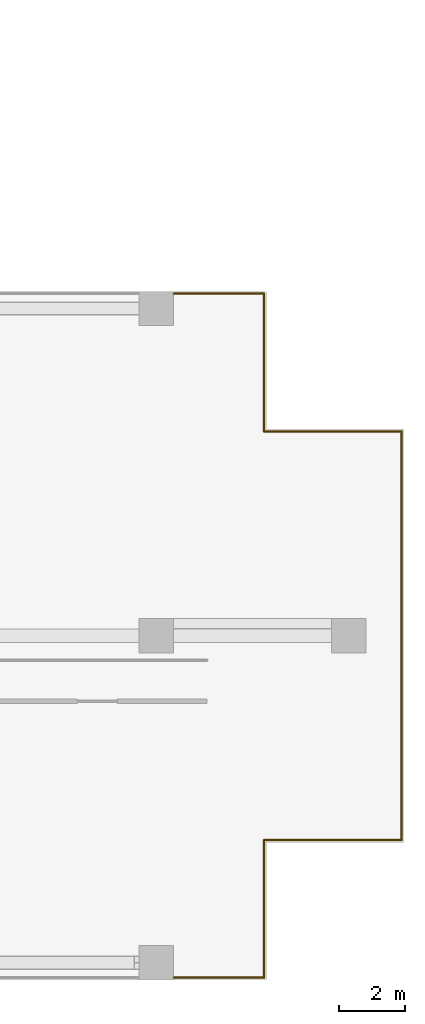
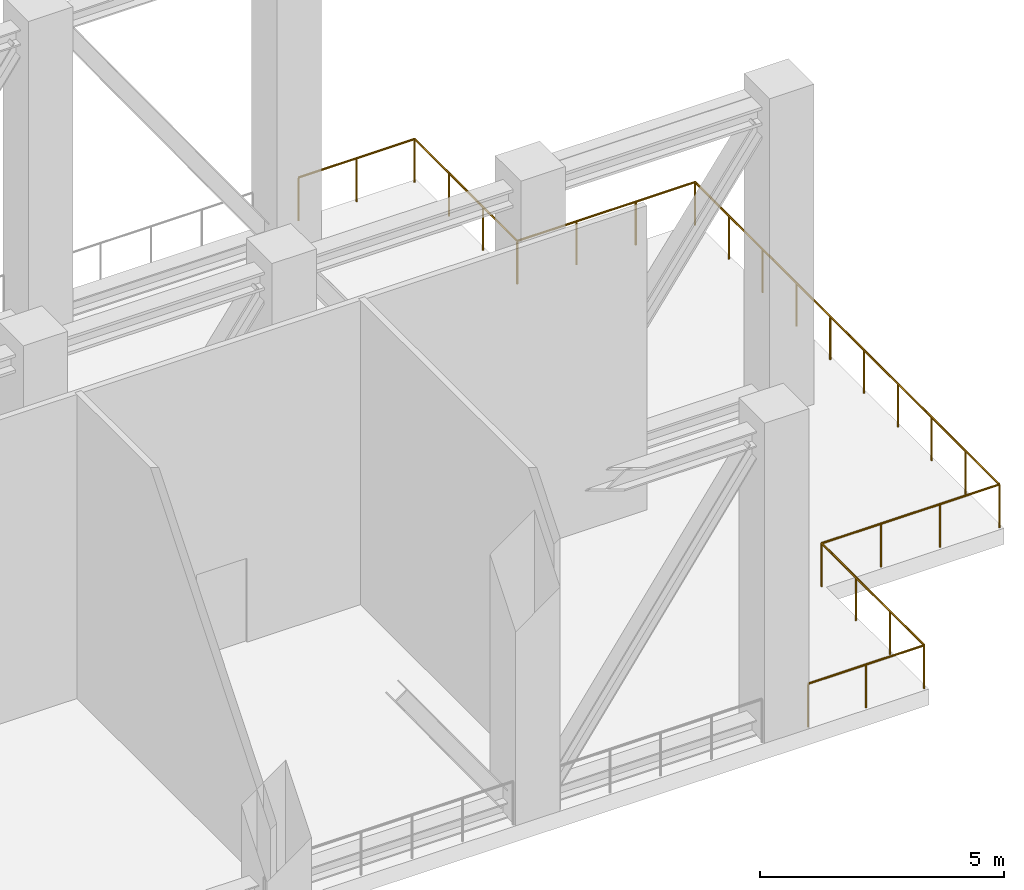
# One storey, part 10 of 10: 7 railings.
"""IFC4 building model written with IfcOpenShell, lengths in metres."""

import ifcopenshell
import ifcopenshell.guid

model = None  # the IFC model being written
_history = None  # IfcOwnerHistory: only IFC2X3 demands one
_inside = {}  # id of a spatial element -> (the spatial element, [elements in it])
_under = {}  # id of a project, library or spatial element -> (it, [spatial elements below it])
_declared = {}  # id of a project -> (the project, [libraries it declares])
_typed = {}  # id of a type object -> (the type object, [elements of that type])
_made_of = {}  # id of a material, layer set ... -> (it, [elements and type objects made of it])


def new_model(schema):
    """Start an empty IFC model of exactly this schema.

    Asked for "IFC4X3", IfcOpenShell would pick the latest addendum, in which some entities
    have other attributes; the version numbers below select the first issue.
    IFC2X3 requires an IfcOwnerHistory on every rooted entity: one is made here for all.
    """
    global model, _history
    if schema == "IFC4X3":
        model = ifcopenshell.file(schema_version=(4, 3, 0, 0))
    else:
        model = ifcopenshell.file(schema=schema)
    _inside.clear()
    _under.clear()
    _declared.clear()
    _typed.clear()
    _made_of.clear()
    _history = None
    if model.schema == "IFC2X3":
        org = make("IfcOrganization", Name="unknown")
        user = make(
            "IfcPersonAndOrganization",
            ThePerson=make("IfcPerson", FamilyName="unknown"),
            TheOrganization=org,
        )
        app = make(
            "IfcApplication",
            ApplicationDeveloper=org,
            Version="unknown",
            ApplicationFullName="unknown",
            ApplicationIdentifier="unknown",
        )
        _history = make(
            "IfcOwnerHistory",
            OwningUser=user,
            OwningApplication=app,
            ChangeAction="ADDED",
            CreationDate=0,
        )
    return model


def make(cls, **values):
    """One entity of the class cls with the attributes given. An attribute that is None is left unset."""
    return model.create_entity(
        cls, **{name: value for name, value in values.items() if value is not None}
    )


def rooted(cls, **values):
    """An entity with a GlobalId (a new one), such as an element, a storey or a relation."""
    return make(cls, GlobalId=ifcopenshell.guid.new(), OwnerHistory=_history, **values)


def si_unit(unit_type, name, prefix=None):
    """IfcSIUnit, for example si_unit("LENGTHUNIT", "METRE", prefix="MILLI")."""
    return make("IfcSIUnit", UnitType=unit_type, Prefix=prefix, Name=name)


def assignment(units):
    """IfcUnitAssignment: the units of a project."""
    return None if units is None else make("IfcUnitAssignment", Units=units)


def point(xyz):
    """IfcCartesianPoint."""
    return None if xyz is None else make("IfcCartesianPoint", Coordinates=xyz)


def direction(xyz):
    """IfcDirection."""
    return None if xyz is None else make("IfcDirection", DirectionRatios=xyz)


def frame(location, z_axis=None, x_axis=None):
    """IfcAxis2Placement3D, a coordinate frame: its origin and axes. An axis left out is left unset."""
    return make(
        "IfcAxis2Placement3D",
        Location=point(location),
        Axis=direction(z_axis),
        RefDirection=direction(x_axis),
    )


def frame_2d(location, x_axis=None):
    """IfcAxis2Placement2D, a coordinate frame in the plane: its origin and x axis."""
    return make(
        "IfcAxis2Placement2D", Location=point(location), RefDirection=direction(x_axis)
    )


def origin():
    """The frame at (0, 0, 0) with its axes left unset."""
    return frame((0.0, 0.0, 0.0))


def origin_2d():
    """The frame at (0, 0) in the plane with its x axis left unset."""
    return frame_2d((0.0, 0.0))


def place(relative_to, where):
    """IfcLocalPlacement: puts the frame where relative to a parent placement (None: the world)."""
    return make(
        "IfcLocalPlacement", PlacementRelTo=relative_to, RelativePlacement=where
    )


def context(
    kind, dimensions, precision=None, world=None, true_north=None, identifier=None
):
    """IfcGeometricRepresentationContext, for example the 3D "Model" context."""
    return make(
        "IfcGeometricRepresentationContext",
        ContextIdentifier=identifier,
        ContextType=kind,
        CoordinateSpaceDimension=dimensions,
        Precision=precision,
        WorldCoordinateSystem=world,
        TrueNorth=true_north,
    )


def subcontext(parent, identifier, kind, view, scale=None):
    """IfcGeometricRepresentationSubContext, for example "Body" below "Model"."""
    return make(
        "IfcGeometricRepresentationSubContext",
        ContextIdentifier=identifier,
        ContextType=kind,
        ParentContext=parent,
        TargetScale=scale,
        TargetView=view,
    )


def project(units=None, contexts=None):
    """IfcProject with its units and contexts."""
    return rooted(
        "IfcProject",
        Name="project",
        RepresentationContexts=contexts,
        UnitsInContext=assignment(units),
    )


def spatial(cls, under=None, at=None, **own):
    """A site, building, storey or space (cls), placed at a placement, below another one or the project."""
    s = rooted(cls, ObjectPlacement=at, **own)
    if under is not None:
        _under.setdefault(under.id(), (under, []))[1].append(s)
    return s


def profile(cls, at=None, kind="AREA", **sizes):
    """A parametric profile (cls). Its sizes go by their IFC names, for example OverallWidth=200.0."""
    return make(cls, ProfileType=kind, Position=at, **sizes)


def circle(**sizes):
    """IfcCircleProfileDef."""
    return profile("IfcCircleProfileDef", **sizes)


def extrude(swept, where, along, depth):
    """IfcExtrudedAreaSolid: the profile swept, set in the frame where, extruded along a direction by depth."""
    return make(
        "IfcExtrudedAreaSolid",
        SweptArea=swept,
        Position=where,
        ExtrudedDirection=direction(along),
        Depth=depth,
    )


def shape(context_of_items, identifier, shape_type, items):
    """IfcShapeRepresentation: the items that make up one representation, for example the "Body"."""
    return make(
        "IfcShapeRepresentation",
        ContextOfItems=context_of_items,
        RepresentationIdentifier=identifier,
        RepresentationType=shape_type,
        Items=items,
    )


def source(mapping_origin, context_of_items, identifier, shape_type, items):
    """IfcRepresentationMap: a shape defined once, which mapped items show again and again."""
    return make(
        "IfcRepresentationMap",
        MappingOrigin=mapping_origin,
        MappedRepresentation=shape(context_of_items, identifier, shape_type, items),
    )


def transform(
    local_origin,
    x_axis=None,
    y_axis=None,
    z_axis=None,
    scale=None,
    scale2=None,
    scale3=None,
    uniform=True,
):
    """IfcCartesianTransformationOperator3D, or its non-uniform kind. x_axis, y_axis, z_axis: its Axis1, 2, 3."""
    if uniform:
        return make(
            "IfcCartesianTransformationOperator3D",
            Axis1=direction(x_axis),
            Axis2=direction(y_axis),
            LocalOrigin=point(local_origin),
            Scale=scale,
            Axis3=direction(z_axis),
        )
    return make(
        "IfcCartesianTransformationOperator3DnonUniform",
        Axis1=direction(x_axis),
        Axis2=direction(y_axis),
        LocalOrigin=point(local_origin),
        Scale=scale,
        Axis3=direction(z_axis),
        Scale2=scale2,
        Scale3=scale3,
    )


def mapped(mapping_source, mapping_target):
    """IfcMappedItem: shows the shape of a source again, moved by a transform."""
    return make(
        "IfcMappedItem", MappingSource=mapping_source, MappingTarget=mapping_target
    )


def material(Name=None, Category=None):
    """IfcMaterial."""
    return make("IfcMaterial", Name=Name, Category=Category)


def made_of(thing, what):
    """Note that an element or type object is made of a material, layer set ...; save() writes the relation."""
    if what is not None:
        _made_of.setdefault(what.id(), (what, []))[1].append(thing)
    return thing


def type_object(cls, material=None, **own):
    """A type object (cls), such as IfcWallType, which elements share."""
    return made_of(rooted(cls, **own), material)


def element(
    cls,
    number,
    at=None,
    inside=None,
    cuts=None,
    type_object=None,
    material=None,
    context=None,
    identifier="Body",
    shape_type=None,
    held_by="IfcProductDefinitionShape",
    body=None,
    shapes=None,
    **own,
):
    """One element of the class cls, such as IfcWall. Its Tag is "e" and its number.

    at: its placement. inside: the storey or other place that contains it. cuts: it is an
    opening in that element (IfcRelVoidsElement). A single representation is given by context,
    identifier, shape_type and body (its items); several are given by shapes. held_by: the class
    of the entity that holds the representations. save() writes the other relations.
    """
    e = rooted(cls, Tag="e%d" % number, ObjectPlacement=at, **own)
    if body is not None:
        shapes = [shape(context, identifier, shape_type, body)]
    if shapes is not None:
        e.Representation = make(held_by, Representations=shapes)
    if inside is not None:
        _inside.setdefault(inside.id(), (inside, []))[1].append(e)
    if cuts is not None:
        rooted(
            "IfcRelVoidsElement", RelatingBuildingElement=cuts, RelatedOpeningElement=e
        )
    if type_object is not None:
        _typed.setdefault(type_object.id(), (type_object, []))[1].append(e)
    return made_of(e, material)


def aggregate(whole, parts):
    """IfcRelAggregates: a whole, such as a stair, and the parts it consists of."""
    return rooted("IfcRelAggregates", RelatingObject=whole, RelatedObjects=parts)


def save(model, path):
    """Write the relations noted so far, then the file.

    IfcRelAggregates (storeys below a building ...), IfcRelContainedInSpatialStructure (elements
    in a storey), IfcRelDefinesByType, IfcRelAssociatesMaterial and IfcRelDeclares: one each for
    every whole, place, type object, material and project.
    """
    for whole, parts in _under.values():
        aggregate(whole, parts)
    for where, things in _inside.values():
        rooted(
            "IfcRelContainedInSpatialStructure",
            RelatedElements=things,
            RelatingStructure=where,
        )
    for kind, things in _typed.values():
        rooted("IfcRelDefinesByType", RelatedObjects=things, RelatingType=kind)
    for what, things in _made_of.values():
        rooted("IfcRelAssociatesMaterial", RelatedObjects=things, RelatingMaterial=what)
    for by, libraries in _declared.values():
        rooted("IfcRelDeclares", RelatingContext=by, RelatedDefinitions=libraries)
    model.write(path)


model = new_model("IFC4")

# Units and contexts
model_context = context("Model", 3, precision=1e-05, world=origin(), true_north=direction((0.0, 1.0)))
body_context = subcontext(model_context, "Body", "Model", "MODEL_VIEW")
ifc_project = project(units=[si_unit("LENGTHUNIT", "METRE"), si_unit("AREAUNIT", "SQUARE_METRE"), si_unit("VOLUMEUNIT", "CUBIC_METRE"), si_unit("PLANEANGLEUNIT", "RADIAN"), si_unit("MASSUNIT", "GRAM", prefix="KILO")], contexts=[model_context])

# Site, building, storey
site_placement = place(None, origin())
site = spatial("IfcSite", under=ifc_project, at=site_placement, CompositionType="ELEMENT")
building_placement = place(site_placement, origin())
building = spatial("IfcBuilding", under=site, at=building_placement, Name="Aurelian Terraces", CompositionType="ELEMENT")
storey_placement = place(building_placement, frame((0.0, 0.0, 162.3)))
storey = spatial("IfcBuildingStorey", under=building, at=storey_placement, Name="L36", CompositionType="ELEMENT", Elevation=162.3)

# Railings
ifc_material = material(Name="Anodised aluminium", Category="aluminium")
railing_type = type_object("IfcRailingType", Name="GUARD-1100", PredefinedType="GUARDRAIL", material=ifc_material)
railing_1_placement = place(storey_placement, frame((67.13, 16.73, 0.0)))
element("IfcRailing", 1, at=railing_1_placement, inside=storey, type_object=railing_type, Name="Wind floor guard L36 1", PredefinedType="GUARDRAIL", context=body_context, shape_type="SweptSolid", body=[
    extrude(circle(Radius=0.024, at=origin_2d()), frame((0.0, 0.0, 1.076), z_axis=(1.0, 0.0, 0.0), x_axis=(0.0, 1.0, 0.0)), (0.0, 0.0, 1.0), 4.2),
    extrude(circle(Radius=0.021, at=origin_2d()), origin(), (0.0, 0.0, 1.0), 1.052),
    extrude(circle(Radius=0.021, at=origin_2d()), frame((1.4, 0.0, 0.0)), (0.0, 0.0, 1.0), 1.052),
    extrude(circle(Radius=0.021, at=origin_2d()), frame((2.8, 0.0, 0.0)), (0.0, 0.0, 1.0), 1.052),
    extrude(circle(Radius=0.021, at=origin_2d()), frame((4.2, 0.0, 0.0)), (0.0, 0.0, 1.0), 1.052),
])
railing_2_placement = place(storey_placement, frame((71.33, 16.73, 0.0)))
element("IfcRailing", 2, at=railing_2_placement, inside=storey, type_object=railing_type, Name="Wind floor guard L36 2", PredefinedType="GUARDRAIL", context=body_context, shape_type="SweptSolid", body=[
    extrude(circle(Radius=0.024, at=origin_2d()), frame((0.0, 0.0, 1.076), z_axis=(0.0, -1.0, 0.0), x_axis=(1.0, 0.0, 0.0)), (0.0, 0.0, 1.0), 12.46),
    extrude(circle(Radius=0.021, at=origin_2d()), origin(), (0.0, 0.0, 1.0), 1.052),
    extrude(circle(Radius=0.021, at=origin_2d()), frame((0.0, -1.3844, 0.0)), (0.0, 0.0, 1.0), 1.052),
    extrude(circle(Radius=0.021, at=origin_2d()), frame((0.0, -2.7689, 0.0)), (0.0, 0.0, 1.0), 1.052),
    extrude(circle(Radius=0.021, at=origin_2d()), frame((0.0, -4.1533, 0.0)), (0.0, 0.0, 1.0), 1.052),
    extrude(circle(Radius=0.021, at=origin_2d()), frame((0.0, -5.5378, 0.0)), (0.0, 0.0, 1.0), 1.052),
    extrude(circle(Radius=0.021, at=origin_2d()), frame((0.0, -6.9222, 0.0)), (0.0, 0.0, 1.0), 1.052),
    extrude(circle(Radius=0.021, at=origin_2d()), frame((0.0, -8.3067, 0.0)), (0.0, 0.0, 1.0), 1.052),
    extrude(circle(Radius=0.021, at=origin_2d()), frame((0.0, -9.6911, 0.0)), (0.0, 0.0, 1.0), 1.052),
    extrude(circle(Radius=0.021, at=origin_2d()), frame((0.0, -11.0756, 0.0)), (0.0, 0.0, 1.0), 1.052),
    extrude(circle(Radius=0.021, at=origin_2d()), frame((0.0, -12.46, 0.0)), (0.0, 0.0, 1.0), 1.052),
])
railing_3_placement = place(storey_placement, frame((71.33, 4.27, 0.0)))
element("IfcRailing", 3, at=railing_3_placement, inside=storey, type_object=railing_type, Name="Wind floor guard L36 3", PredefinedType="GUARDRAIL", context=body_context, shape_type="SweptSolid", body=[
    extrude(circle(Radius=0.024, at=origin_2d()), frame((0.0, 0.0, 1.076), z_axis=(-1.0, 0.0, 0.0), x_axis=(0.0, -1.0, 0.0)), (0.0, 0.0, 1.0), 4.2),
    extrude(circle(Radius=0.021, at=origin_2d()), origin(), (0.0, 0.0, 1.0), 1.052),
    extrude(circle(Radius=0.021, at=origin_2d()), frame((-1.4, 0.0, 0.0)), (0.0, 0.0, 1.0), 1.052),
    extrude(circle(Radius=0.021, at=origin_2d()), frame((-2.8, 0.0, 0.0)), (0.0, 0.0, 1.0), 1.052),
    extrude(circle(Radius=0.021, at=origin_2d()), frame((-4.2, 0.0, 0.0)), (0.0, 0.0, 1.0), 1.052),
])
railing_4_placement = place(storey_placement, frame((67.13, 4.27, 0.0)))
element("IfcRailing", 4, at=railing_4_placement, inside=storey, type_object=railing_type, Name="Wind floor guard L36 4", PredefinedType="GUARDRAIL", context=body_context, shape_type="SweptSolid", body=[
    extrude(circle(Radius=0.024, at=origin_2d()), frame((0.0, 0.0, 1.076), z_axis=(0.0, -1.0, 0.0), x_axis=(1.0, 0.0, 0.0)), (0.0, 0.0, 1.0), 4.2),
    extrude(circle(Radius=0.021, at=origin_2d()), origin(), (0.0, 0.0, 1.0), 1.052),
    extrude(circle(Radius=0.021, at=origin_2d()), frame((0.0, -1.4, 0.0)), (0.0, 0.0, 1.0), 1.052),
    extrude(circle(Radius=0.021, at=origin_2d()), frame((0.0, -2.8, 0.0)), (0.0, 0.0, 1.0), 1.052),
    extrude(circle(Radius=0.021, at=origin_2d()), frame((0.0, -4.2, 0.0)), (0.0, 0.0, 1.0), 1.052),
])
railing_5_placement = place(storey_placement, frame((67.13, 0.07, 0.0)))
element("IfcRailing", 5, at=railing_5_placement, inside=storey, type_object=railing_type, Name="Wind floor guard L36 5", PredefinedType="GUARDRAIL", context=body_context, shape_type="SweptSolid", body=[
    extrude(circle(Radius=0.024, at=origin_2d()), frame((0.0, 0.0, 1.076), z_axis=(-1.0, 0.0, 0.0), x_axis=(0.0, -1.0, 0.0)), (0.0, 0.0, 1.0), 2.745),
    extrude(circle(Radius=0.021, at=origin_2d()), origin(), (0.0, 0.0, 1.0), 1.052),
    extrude(circle(Radius=0.021, at=origin_2d()), frame((-1.3725, 0.0, 0.0)), (0.0, 0.0, 1.0), 1.052),
    extrude(circle(Radius=0.021, at=origin_2d()), frame((-2.745, 0.0, 0.0)), (0.0, 0.0, 1.0), 1.052),
])
railing_6_placement = place(storey_placement, frame((64.385, 20.93, 0.0)))
element("IfcRailing", 6, at=railing_6_placement, inside=storey, type_object=railing_type, Name="Wind floor guard L36 39", PredefinedType="GUARDRAIL", context=body_context, shape_type="SweptSolid", body=[
    extrude(circle(Radius=0.024, at=origin_2d()), frame((0.0, 0.0, 1.076), z_axis=(1.0, 0.0, 0.0), x_axis=(0.0, 1.0, 0.0)), (0.0, 0.0, 1.0), 2.745),
    extrude(circle(Radius=0.021, at=origin_2d()), origin(), (0.0, 0.0, 1.0), 1.052),
    extrude(circle(Radius=0.021, at=origin_2d()), frame((1.3725, 0.0, 0.0)), (0.0, 0.0, 1.0), 1.052),
    extrude(circle(Radius=0.021, at=origin_2d()), frame((2.745, 0.0, 0.0)), (0.0, 0.0, 1.0), 1.052),
])
shared_shape = source(origin(), body_context, "Body", "SweptSolid", [
    extrude(circle(Radius=0.024, at=origin_2d()), frame((0.0, 0.0, 1.076), z_axis=(0.0, -1.0, 0.0), x_axis=(1.0, 0.0, 0.0)), (0.0, 0.0, 1.0), 4.2),
    extrude(circle(Radius=0.021, at=origin_2d()), origin(), (0.0, 0.0, 1.0), 1.052),
    extrude(circle(Radius=0.021, at=origin_2d()), frame((0.0, -1.4, 0.0)), (0.0, 0.0, 1.0), 1.052),
    extrude(circle(Radius=0.021, at=origin_2d()), frame((0.0, -2.8, 0.0)), (0.0, 0.0, 1.0), 1.052),
    extrude(circle(Radius=0.021, at=origin_2d()), frame((0.0, -4.2, 0.0)), (0.0, 0.0, 1.0), 1.052),
])
railing_7_placement = place(storey_placement, frame((67.13, 20.93, 0.0)))
element("IfcRailing", 7, at=railing_7_placement, inside=storey, type_object=railing_type, Name="Wind floor guard L36 40", PredefinedType="GUARDRAIL", context=body_context, shape_type="MappedRepresentation", body=[
    mapped(shared_shape, transform((0.0, 0.0, 0.0), scale=1.0)),
])

save(model, "model.ifc")
